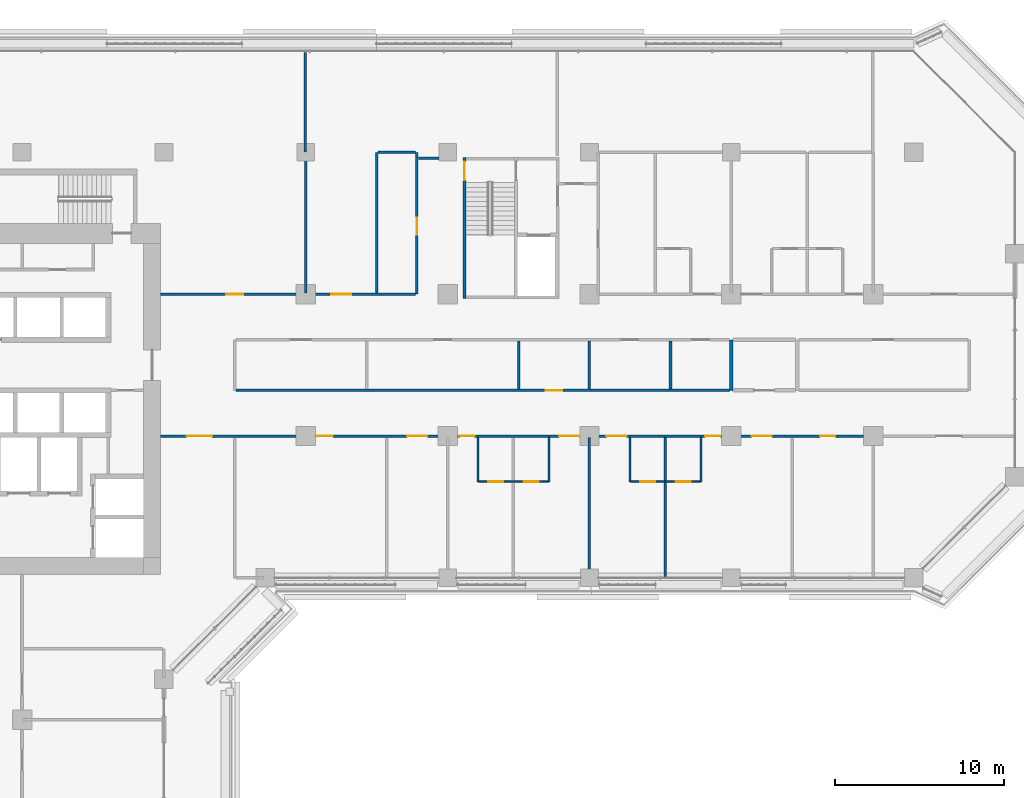
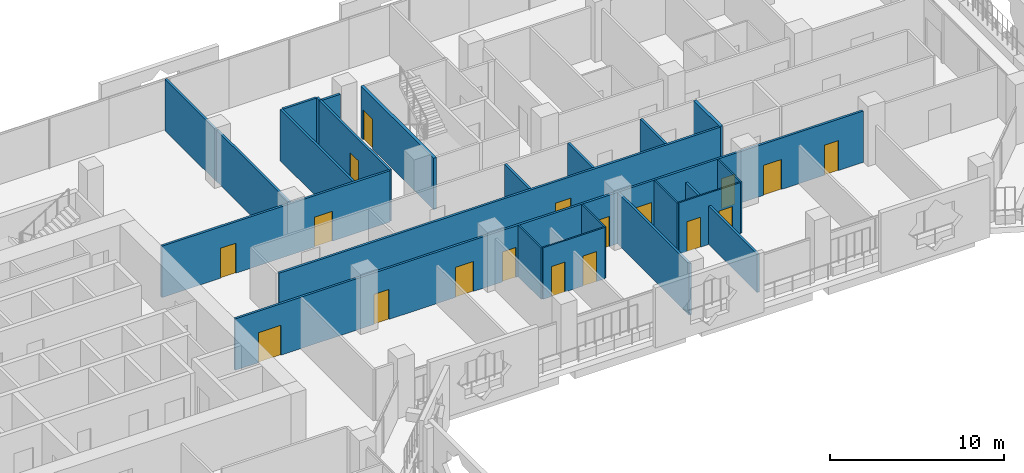
# One storey, part 15 of 25: 23 walls, 18 doors, 18 openings.
"""IFC4 building model written with IfcOpenShell, lengths in metres."""

from ifc_helpers import new_model, si_unit, direction, frame, frame_2d, origin, place, context, subcontext, project, spatial, rectangle, extrude, material, layer, layer_set, type_object, element, fill, save


model = new_model("IFC4")

# Units and contexts
model_context = context("Model", 3, precision=1e-05, world=origin(), true_north=direction((0.0, 1.0)))
body_context = subcontext(model_context, "Body", "Model", "MODEL_VIEW")
ifc_project = project(units=[si_unit("LENGTHUNIT", "METRE"), si_unit("AREAUNIT", "SQUARE_METRE"), si_unit("VOLUMEUNIT", "CUBIC_METRE"), si_unit("PLANEANGLEUNIT", "RADIAN"), si_unit("MASSUNIT", "GRAM", prefix="KILO")], contexts=[model_context])

# Site, building, storey
site_placement = place(None, origin())
site = spatial("IfcSite", under=ifc_project, at=site_placement, CompositionType="ELEMENT")
building_placement = place(site_placement, origin())
building = spatial("IfcBuilding", under=site, at=building_placement, Name="Kawkab Arch Medical Tower", CompositionType="ELEMENT")
storey_placement = place(building_placement, frame((0.0, 0.0, 124.0)))
storey = spatial("IfcBuildingStorey", under=building, at=storey_placement, Name="L28", CompositionType="ELEMENT", Elevation=124.0)

# Wall, openings, doors
ifc_material_1 = material(Name="Gypsum board partition on steel studs", Category="steel")
ifc_layer_1 = layer(ifc_material_1, 0.10009765625)
ifc_layer_set_1 = layer_set([ifc_layer_1], Name="Gypsum board partition on steel studs")
wall_type_1 = type_object("IfcWallType", Name="Partition 100", PredefinedType="PARTITIONING", material=ifc_layer_set_1)
wall_1_placement = place(storey_placement, frame((43.85009765625, -19.5, 0.0), z_axis=(0.0, 0.0, 1.0), x_axis=(1.0, 0.0, 0.0)))
wall_1 = element("IfcWall", 1, at=wall_1_placement, inside=storey, type_object=wall_type_1, Name="Partition 100 w005", PredefinedType="PARTITIONING", context=body_context, shape_type="SweptSolid", body=[
    extrude(rectangle(XDim=4.099853515625, YDim=0.10009765625, at=frame_2d((2.0498046875, 0.0))), origin(), (0.0, 0.0, 1.0), 3.60009765625),
])
opening_1_placement = place(wall_1_placement, frame((0.550048828125, 0.0, 0.0)))
opening_1 = element("IfcOpeningElement", 2, at=opening_1_placement, cuts=wall_1, Name="Opening W28-008", PredefinedType="OPENING", context=body_context, shape_type="SweptSolid", body=[
    extrude(rectangle(XDim=0.89990234375, YDim=2.10009765625, at=frame_2d((0.449951171875, 1.050048828125))), frame((0.0, 0.06005859375, 0.0), z_axis=(0.0, -1.0, 0.0), x_axis=(1.0, 0.0, 0.0)), (0.0, 0.0, 1.0), 0.1201171875),
])
opening_2_placement = place(wall_1_placement, frame((2.64990234375, 0.0, 0.0)))
opening_2 = element("IfcOpeningElement", 3, at=opening_2_placement, cuts=wall_1, Name="Opening W28-009", PredefinedType="OPENING", context=body_context, shape_type="SweptSolid", body=[
    extrude(rectangle(XDim=0.89990234375, YDim=2.10009765625, at=frame_2d((0.449951171875, 1.050048828125))), frame((0.0, 0.06005859375, 0.0), z_axis=(0.0, -1.0, 0.0), x_axis=(1.0, 0.0, 0.0)), (0.0, 0.0, 1.0), 0.1201171875),
])
ifc_material_2 = material(Name="Timber door leaf", Category="wood")
door_type_1 = type_object("IfcDoorType", Name="Single door 900x2100", OperationType="NOTDEFINED", PredefinedType="DOOR", material=ifc_material_2)
door_1_placement = place(opening_1_placement, origin())
door_1 = element("IfcDoor", 4, at=door_1_placement, inside=storey, type_object=door_type_1, Name="Door W28-008", OperationType="SINGLE_SWING_RIGHT", OverallHeight=2.10009765625, OverallWidth=0.89990234375, PredefinedType="DOOR", context=body_context, shape_type="SweptSolid", body=[
    extrude(rectangle(XDim=0.89990234375, YDim=2.10009765625, at=frame_2d((0.449951171875, 1.050048828125))), frame((0.0, 0.02490234375, 0.0), z_axis=(0.0, -1.0, 0.0), x_axis=(1.0, 0.0, 0.0)), (0.0, 0.0, 1.0), 0.050048828125),
])
fill(opening_1, door_1)
door_2_placement = place(opening_2_placement, origin())
door_2 = element("IfcDoor", 5, at=door_2_placement, inside=storey, type_object=door_type_1, Name="Door W28-009", OperationType="SINGLE_SWING_LEFT", OverallHeight=2.10009765625, OverallWidth=0.89990234375, PredefinedType="DOOR", context=body_context, shape_type="SweptSolid", body=[
    extrude(rectangle(XDim=0.89990234375, YDim=2.10009765625, at=frame_2d((0.449951171875, 1.050048828125))), frame((0.0, 0.02490234375, 0.0), z_axis=(0.0, -1.0, 0.0), x_axis=(1.0, 0.0, 0.0)), (0.0, 0.0, 1.0), 0.050048828125),
])
fill(opening_2, door_2)

wall_2_placement = place(storey_placement, frame((52.85009765625, -19.5, 0.0), z_axis=(0.0, 0.0, 1.0), x_axis=(1.0, 0.0, 0.0)))
wall_2 = element("IfcWall", 6, at=wall_2_placement, inside=storey, type_object=wall_type_1, Name="Partition 100 w006", PredefinedType="PARTITIONING", context=body_context, shape_type="SweptSolid", body=[
    extrude(rectangle(XDim=4.097900390625, YDim=0.10009765625, at=frame_2d((2.048828125, 0.0))), origin(), (0.0, 0.0, 1.0), 3.60009765625),
])
opening_3_placement = place(wall_2_placement, frame((0.550048828125, 0.0, 0.0)))
opening_3 = element("IfcOpeningElement", 7, at=opening_3_placement, cuts=wall_2, Name="Opening W28-010", PredefinedType="OPENING", context=body_context, shape_type="SweptSolid", body=[
    extrude(rectangle(XDim=0.89990234375, YDim=2.10009765625, at=frame_2d((0.449951171875, 1.050048828125))), frame((0.0, 0.06005859375, 0.0), z_axis=(0.0, -1.0, 0.0), x_axis=(1.0, 0.0, 0.0)), (0.0, 0.0, 1.0), 0.1201171875),
])
opening_4_placement = place(wall_2_placement, frame((2.64892578125, 0.0, 0.0)))
opening_4 = element("IfcOpeningElement", 8, at=opening_4_placement, cuts=wall_2, Name="Opening W28-011", PredefinedType="OPENING", context=body_context, shape_type="SweptSolid", body=[
    extrude(rectangle(XDim=0.89990234375, YDim=2.10009765625, at=frame_2d((0.449951171875, 1.050048828125))), frame((0.0, 0.06005859375, 0.0), z_axis=(0.0, -1.0, 0.0), x_axis=(1.0, 0.0, 0.0)), (0.0, 0.0, 1.0), 0.1201171875),
])
door_3_placement = place(opening_3_placement, origin())
door_3 = element("IfcDoor", 9, at=door_3_placement, inside=storey, type_object=door_type_1, Name="Door W28-010", OperationType="SINGLE_SWING_RIGHT", OverallHeight=2.10009765625, OverallWidth=0.89990234375, PredefinedType="DOOR", context=body_context, shape_type="SweptSolid", body=[
    extrude(rectangle(XDim=0.89990234375, YDim=2.10009765625, at=frame_2d((0.449951171875, 1.050048828125))), frame((0.0, 0.02490234375, 0.0), z_axis=(0.0, -1.0, 0.0), x_axis=(1.0, 0.0, 0.0)), (0.0, 0.0, 1.0), 0.050048828125),
])
fill(opening_3, door_3)
door_4_placement = place(opening_4_placement, origin())
door_4 = element("IfcDoor", 10, at=door_4_placement, inside=storey, type_object=door_type_1, Name="Door W28-011", OperationType="SINGLE_SWING_LEFT", OverallHeight=2.10009765625, OverallWidth=0.89990234375, PredefinedType="DOOR", context=body_context, shape_type="SweptSolid", body=[
    extrude(rectangle(XDim=0.89990234375, YDim=2.10009765625, at=frame_2d((0.449951171875, 1.050048828125))), frame((0.0, 0.02490234375, 0.0), z_axis=(0.0, -1.0, 0.0), x_axis=(1.0, 0.0, 0.0)), (0.0, 0.0, 1.0), 0.050048828125),
])
fill(opening_4, door_4)

# Walls
for number, where, z_axis, x_axis, name in (
    (11, (43.800048828125, -19.5, 0.0), (0.0, 0.0, 1.0), (0.0, 1.0, 0.0), "Partition 100 w012"),
    (12, (48.0, -19.5, 0.0), (0.0, 0.0, 1.0), (0.0, 1.0, 0.0), "Partition 100 w013"),
    (13, (52.800048828125, -19.5, 0.0), (0.0, 0.0, 1.0), (0.0, 1.0, 0.0), "Partition 100 w014"),
):
    element("IfcWall", number, at=place(storey_placement, frame(where, z_axis=z_axis, x_axis=x_axis)), inside=storey, type_object=wall_type_1, Name=name, PredefinedType="PARTITIONING", context=body_context, shape_type="SweptSolid", body=[
        extrude(rectangle(XDim=2.625, YDim=0.10009765625, at=frame_2d((1.3125, 0.0))), origin(), (0.0, 0.0, 1.0), 3.60009765625),
    ])
wall_3_placement = place(storey_placement, frame((57.0, -19.4990234375, 0.0), z_axis=(0.0, 0.0, 1.0), x_axis=(0.0, 1.0, 0.0)))
element("IfcWall", 14, at=wall_3_placement, inside=storey, type_object=wall_type_1, Name="Partition 100 w016", PredefinedType="PARTITIONING", context=body_context, shape_type="SweptSolid", body=[
    extrude(rectangle(XDim=2.6240234375, YDim=0.10009765625, at=frame_2d((1.31201171875, 0.0))), origin(), (0.0, 0.0, 1.0), 3.60009765625),
])

# Wall, openings, doors
ifc_material_3 = material(Name="Gypsum board partition on steel studs, mineral wool", Category="steel")
ifc_layer_2 = layer(ifc_material_3, 0.14990234375)
ifc_layer_set_2 = layer_set([ifc_layer_2], Name="Gypsum board partition on steel studs, mineral wool")
wall_type_2 = type_object("IfcWallType", Name="Partition 150", PredefinedType="PARTITIONING", material=ifc_layer_set_2)
wall_4_placement = place(storey_placement, frame((25.0, -16.800048828125, 0.0), z_axis=(0.0, 0.0, 1.0), x_axis=(1.0, 0.0, 0.0)))
wall_4 = element("IfcWall", 15, at=wall_4_placement, inside=storey, type_object=wall_type_2, Name="Partition 150 w037", PredefinedType="PARTITIONING", context=body_context, shape_type="SweptSolid", body=[
    extrude(rectangle(XDim=41.625, YDim=0.14990234375, at=frame_2d((20.8125, 0.0))), origin(), (0.0, 0.0, 1.0), 3.60009765625),
])
opening_5_placement = place(wall_4_placement, frame((1.550048828125, 0.0, 0.0)))
opening_5 = element("IfcOpeningElement", 16, at=opening_5_placement, cuts=wall_4, Name="Opening W28-001", PredefinedType="OPENING", context=body_context, shape_type="SweptSolid", body=[
    extrude(rectangle(XDim=1.5, YDim=2.10009765625, at=frame_2d((0.75, 1.050048828125))), frame((0.0, 0.0849609375, 0.0), z_axis=(0.0, -1.0, 0.0), x_axis=(1.0, 0.0, 0.0)), (0.0, 0.0, 1.0), 0.169921875),
])
opening_6_placement = place(wall_4_placement, frame((9.199951171875, 0.0, 0.0)))
opening_6 = element("IfcOpeningElement", 17, at=opening_6_placement, cuts=wall_4, Name="Opening W28-029", PredefinedType="OPENING", context=body_context, shape_type="SweptSolid", body=[
    extrude(rectangle(XDim=1.0, YDim=2.10009765625, at=frame_2d((0.5, 1.050048828125))), frame((0.0, 0.0849609375, 0.0), z_axis=(0.0, -1.0, 0.0), x_axis=(1.0, 0.0, 0.0)), (0.0, 0.0, 1.0), 0.169921875),
])
opening_7_placement = place(wall_4_placement, frame((14.60009765625, 0.0, 0.0)))
opening_7 = element("IfcOpeningElement", 18, at=opening_7_placement, cuts=wall_4, Name="Opening W28-039", PredefinedType="OPENING", context=body_context, shape_type="SweptSolid", body=[
    extrude(rectangle(XDim=1.199951171875, YDim=2.10009765625, at=frame_2d((0.60009765625, 1.050048828125))), frame((0.0, 0.0849609375, 0.0), z_axis=(0.0, -1.0, 0.0), x_axis=(1.0, 0.0, 0.0)), (0.0, 0.0, 1.0), 0.169921875),
])
opening_8_placement = place(wall_4_placement, frame((17.699951171875, 0.0, 0.0)))
opening_8 = element("IfcOpeningElement", 19, at=opening_8_placement, cuts=wall_4, Name="Opening W28-018", PredefinedType="OPENING", context=body_context, shape_type="SweptSolid", body=[
    extrude(rectangle(XDim=0.89990234375, YDim=2.10009765625, at=frame_2d((0.449951171875, 1.050048828125))), frame((0.0, 0.0849609375, 0.0), z_axis=(0.0, -1.0, 0.0), x_axis=(1.0, 0.0, 0.0)), (0.0, 0.0, 1.0), 0.169921875),
])
opening_9_placement = place(wall_4_placement, frame((23.60009765625, 0.0, 0.0)))
opening_9 = element("IfcOpeningElement", 20, at=opening_9_placement, cuts=wall_4, Name="Opening W28-040", PredefinedType="OPENING", context=body_context, shape_type="SweptSolid", body=[
    extrude(rectangle(XDim=1.199951171875, YDim=2.10009765625, at=frame_2d((0.60009765625, 1.050048828125))), frame((0.0, 0.0849609375, 0.0), z_axis=(0.0, -1.0, 0.0), x_axis=(1.0, 0.0, 0.0)), (0.0, 0.0, 1.0), 0.169921875),
])
opening_10_placement = place(wall_4_placement, frame((26.39990234375, 0.0, 0.0)))
opening_10 = element("IfcOpeningElement", 21, at=opening_10_placement, cuts=wall_4, Name="Opening W28-041", PredefinedType="OPENING", context=body_context, shape_type="SweptSolid", body=[
    extrude(rectangle(XDim=1.199951171875, YDim=2.10009765625, at=frame_2d((0.60009765625, 1.050048828125))), frame((0.0, 0.0849609375, 0.0), z_axis=(0.0, -1.0, 0.0), x_axis=(1.0, 0.0, 0.0)), (0.0, 0.0, 1.0), 0.169921875),
])
opening_11_placement = place(wall_4_placement, frame((35.0, 0.0, 0.0)))
opening_11 = element("IfcOpeningElement", 22, at=opening_11_placement, cuts=wall_4, Name="Opening W28-042", PredefinedType="OPENING", context=body_context, shape_type="SweptSolid", body=[
    extrude(rectangle(XDim=1.199951171875, YDim=2.10009765625, at=frame_2d((0.60009765625, 1.050048828125))), frame((0.0, 0.0849609375, 0.0), z_axis=(0.0, -1.0, 0.0), x_axis=(1.0, 0.0, 0.0)), (0.0, 0.0, 1.0), 0.169921875),
])
opening_12_placement = place(wall_4_placement, frame((32.25, 0.0, 0.0)))
opening_12 = element("IfcOpeningElement", 23, at=opening_12_placement, cuts=wall_4, Name="Opening W28-019", PredefinedType="OPENING", context=body_context, shape_type="SweptSolid", body=[
    extrude(rectangle(XDim=0.89990234375, YDim=2.10009765625, at=frame_2d((0.449951171875, 1.050048828125))), frame((0.0, 0.0849609375, 0.0), z_axis=(0.0, -1.0, 0.0), x_axis=(1.0, 0.0, 0.0)), (0.0, 0.0, 1.0), 0.169921875),
])
opening_13_placement = place(wall_4_placement, frame((39.06201171875, 0.0, 0.0)))
opening_13 = element("IfcOpeningElement", 24, at=opening_13_placement, cuts=wall_4, Name="Opening W28-012", PredefinedType="OPENING", context=body_context, shape_type="SweptSolid", body=[
    extrude(rectangle(XDim=0.89990234375, YDim=2.10009765625, at=frame_2d((0.449951171875, 1.050048828125))), frame((0.0, 0.0849609375, 0.0), z_axis=(0.0, -1.0, 0.0), x_axis=(1.0, 0.0, 0.0)), (0.0, 0.0, 1.0), 0.169921875),
])
ifc_material_4 = material(Name="Hollow metal door leaf")
door_type_2 = type_object("IfcDoorType", Name="Double door 1500x2100 FD30S", OperationType="NOTDEFINED", PredefinedType="DOOR", material=ifc_material_4)
door_5_placement = place(opening_5_placement, origin())
door_5 = element("IfcDoor", 25, at=door_5_placement, inside=storey, type_object=door_type_2, Name="Door W28-001", OperationType="DOUBLE_DOOR_SINGLE_SWING", OverallHeight=2.10009765625, OverallWidth=1.5, PredefinedType="DOOR", context=body_context, shape_type="SweptSolid", body=[
    extrude(rectangle(XDim=1.5, YDim=2.10009765625, at=frame_2d((0.75, 1.050048828125))), frame((0.0, 0.02490234375, 0.0), z_axis=(0.0, -1.0, 0.0), x_axis=(1.0, 0.0, 0.0)), (0.0, 0.0, 1.0), 0.050048828125),
])
fill(opening_5, door_5)
ifc_material_5 = material(Name="Hollow metal door leaf")
door_type_3 = type_object("IfcDoorType", Name="Single door 1000x2100 FD30S", OperationType="NOTDEFINED", PredefinedType="DOOR", material=ifc_material_5)
door_6_placement = place(opening_6_placement, origin())
door_6 = element("IfcDoor", 26, at=door_6_placement, inside=storey, type_object=door_type_3, Name="Door W28-029", OperationType="SINGLE_SWING_RIGHT", OverallHeight=2.10009765625, OverallWidth=1.0, PredefinedType="DOOR", context=body_context, shape_type="SweptSolid", body=[
    extrude(rectangle(XDim=1.0, YDim=2.10009765625, at=frame_2d((0.5, 1.050048828125))), frame((0.0, 0.02490234375, 0.0), z_axis=(0.0, -1.0, 0.0), x_axis=(1.0, 0.0, 0.0)), (0.0, 0.0, 1.0), 0.050048828125),
])
fill(opening_6, door_6)
ifc_material_6 = material(Name="Hollow metal door leaf")
door_type_4 = type_object("IfcDoorType", Name="Single door 1200x2100 FD30S", OperationType="NOTDEFINED", PredefinedType="DOOR", material=ifc_material_6)
door_7_placement = place(opening_7_placement, origin())
door_7 = element("IfcDoor", 27, at=door_7_placement, inside=storey, type_object=door_type_4, Name="Door W28-039", OperationType="SINGLE_SWING_RIGHT", OverallHeight=2.10009765625, OverallWidth=1.199951171875, PredefinedType="DOOR", context=body_context, shape_type="SweptSolid", body=[
    extrude(rectangle(XDim=1.199951171875, YDim=2.10009765625, at=frame_2d((0.60009765625, 1.050048828125))), frame((0.0, 0.02490234375, 0.0), z_axis=(0.0, -1.0, 0.0), x_axis=(1.0, 0.0, 0.0)), (0.0, 0.0, 1.0), 0.050048828125),
])
fill(opening_7, door_7)
door_8_placement = place(opening_9_placement, origin())
door_8 = element("IfcDoor", 28, at=door_8_placement, inside=storey, type_object=door_type_4, Name="Door W28-040", OperationType="SINGLE_SWING_LEFT", OverallHeight=2.10009765625, OverallWidth=1.199951171875, PredefinedType="DOOR", context=body_context, shape_type="SweptSolid", body=[
    extrude(rectangle(XDim=1.199951171875, YDim=2.10009765625, at=frame_2d((0.60009765625, 1.050048828125))), frame((0.0, 0.02490234375, 0.0), z_axis=(0.0, -1.0, 0.0), x_axis=(1.0, 0.0, 0.0)), (0.0, 0.0, 1.0), 0.050048828125),
])
fill(opening_9, door_8)
door_9_placement = place(opening_10_placement, origin())
door_9 = element("IfcDoor", 29, at=door_9_placement, inside=storey, type_object=door_type_4, Name="Door W28-041", OperationType="SINGLE_SWING_LEFT", OverallHeight=2.10009765625, OverallWidth=1.199951171875, PredefinedType="DOOR", context=body_context, shape_type="SweptSolid", body=[
    extrude(rectangle(XDim=1.199951171875, YDim=2.10009765625, at=frame_2d((0.60009765625, 1.050048828125))), frame((0.0, 0.02490234375, 0.0), z_axis=(0.0, -1.0, 0.0), x_axis=(1.0, 0.0, 0.0)), (0.0, 0.0, 1.0), 0.050048828125),
])
fill(opening_10, door_9)
door_10_placement = place(opening_11_placement, origin())
door_10 = element("IfcDoor", 30, at=door_10_placement, inside=storey, type_object=door_type_4, Name="Door W28-042", OperationType="SINGLE_SWING_LEFT", OverallHeight=2.10009765625, OverallWidth=1.199951171875, PredefinedType="DOOR", context=body_context, shape_type="SweptSolid", body=[
    extrude(rectangle(XDim=1.199951171875, YDim=2.10009765625, at=frame_2d((0.60009765625, 1.050048828125))), frame((0.0, 0.02490234375, 0.0), z_axis=(0.0, -1.0, 0.0), x_axis=(1.0, 0.0, 0.0)), (0.0, 0.0, 1.0), 0.050048828125),
])
fill(opening_11, door_10)
door_11_placement = place(opening_13_placement, origin())
door_11 = element("IfcDoor", 31, at=door_11_placement, inside=storey, type_object=door_type_1, Name="Door W28-012", OperationType="SINGLE_SWING_LEFT", OverallHeight=2.10009765625, OverallWidth=0.89990234375, PredefinedType="DOOR", context=body_context, shape_type="SweptSolid", body=[
    extrude(rectangle(XDim=0.89990234375, YDim=2.10009765625, at=frame_2d((0.449951171875, 1.050048828125))), frame((0.0, 0.02490234375, 0.0), z_axis=(0.0, -1.0, 0.0), x_axis=(1.0, 0.0, 0.0)), (0.0, 0.0, 1.0), 0.050048828125),
])
fill(opening_13, door_11)
ifc_material_7 = material(Name="Hollow metal door leaf")
door_type_5 = type_object("IfcDoorType", Name="Single door 900x2100 FD30S", OperationType="NOTDEFINED", PredefinedType="DOOR", material=ifc_material_7)
door_12_placement = place(opening_8_placement, origin())
door_12 = element("IfcDoor", 32, at=door_12_placement, inside=storey, type_object=door_type_5, Name="Door W28-018", OperationType="SINGLE_SWING_RIGHT", OverallHeight=2.10009765625, OverallWidth=0.89990234375, PredefinedType="DOOR", context=body_context, shape_type="SweptSolid", body=[
    extrude(rectangle(XDim=0.89990234375, YDim=2.10009765625, at=frame_2d((0.449951171875, 1.050048828125))), frame((0.0, 0.02490234375, 0.0), z_axis=(0.0, -1.0, 0.0), x_axis=(1.0, 0.0, 0.0)), (0.0, 0.0, 1.0), 0.050048828125),
])
fill(opening_8, door_12)
door_13_placement = place(opening_12_placement, origin())
door_13 = element("IfcDoor", 33, at=door_13_placement, inside=storey, type_object=door_type_5, Name="Door W28-019", OperationType="SINGLE_SWING_LEFT", OverallHeight=2.10009765625, OverallWidth=0.89990234375, PredefinedType="DOOR", context=body_context, shape_type="SweptSolid", body=[
    extrude(rectangle(XDim=0.89990234375, YDim=2.10009765625, at=frame_2d((0.449951171875, 1.050048828125))), frame((0.0, 0.02490234375, 0.0), z_axis=(0.0, -1.0, 0.0), x_axis=(1.0, 0.0, 0.0)), (0.0, 0.0, 1.0), 0.050048828125),
])
fill(opening_12, door_13)

# Wall, opening, door
wall_5_placement = place(storey_placement, frame((29.47509765625, -14.10009765625, 0.0), z_axis=(0.0, 0.0, 1.0), x_axis=(1.0, 0.0, 0.0)))
wall_5 = element("IfcWall", 34, at=wall_5_placement, inside=storey, type_object=wall_type_2, Name="Partition 150 w039", PredefinedType="PARTITIONING", context=body_context, shape_type="SweptSolid", body=[
    extrude(rectangle(XDim=29.224853515625, YDim=0.14990234375, at=frame_2d((14.6123046875, 0.0))), origin(), (0.0, 0.0, 1.0), 3.60009765625),
])
opening_14_placement = place(wall_5_placement, frame((18.324951171875, 0.0, 0.0)))
opening_14 = element("IfcOpeningElement", 35, at=opening_14_placement, cuts=wall_5, Name="Opening W28-027", PredefinedType="OPENING", context=body_context, shape_type="SweptSolid", body=[
    extrude(rectangle(XDim=1.0, YDim=2.10009765625, at=frame_2d((0.5, 1.050048828125))), frame((0.0, 0.0849609375, 0.0), z_axis=(0.0, -1.0, 0.0), x_axis=(1.0, 0.0, 0.0)), (0.0, 0.0, 1.0), 0.169921875),
])
door_14_placement = place(opening_14_placement, origin())
door_14 = element("IfcDoor", 36, at=door_14_placement, inside=storey, type_object=door_type_3, Name="Door W28-027", OperationType="SINGLE_SWING_RIGHT", OverallHeight=2.10009765625, OverallWidth=1.0, PredefinedType="DOOR", context=body_context, shape_type="SweptSolid", body=[
    extrude(rectangle(XDim=1.0, YDim=2.10009765625, at=frame_2d((0.5, 1.050048828125))), frame((0.0, 0.02490234375, 0.0), z_axis=(0.0, -1.0, 0.0), x_axis=(1.0, 0.0, 0.0)), (0.0, 0.0, 1.0), 0.050048828125),
])
fill(opening_14, door_14)

# Wall, openings, doors
wall_6_placement = place(storey_placement, frame((25.0, -8.39990234375, 0.0), z_axis=(0.0, 0.0, 1.0), x_axis=(1.0, 0.0, 0.0)))
wall_6 = element("IfcWall", 37, at=wall_6_placement, inside=storey, type_object=wall_type_2, Name="Partition 150 w043", PredefinedType="PARTITIONING", context=body_context, shape_type="SweptSolid", body=[
    extrude(rectangle(XDim=15.10693359375, YDim=0.14990234375, at=frame_2d((7.553466796875, 0.0))), origin(), (0.0, 0.0, 1.0), 3.60009765625),
])
opening_15_placement = place(wall_6_placement, frame((3.89990234375, 0.0, 0.0)))
opening_15 = element("IfcOpeningElement", 38, at=opening_15_placement, cuts=wall_6, Name="Opening W28-022", PredefinedType="OPENING", context=body_context, shape_type="SweptSolid", body=[
    extrude(rectangle(XDim=1.0, YDim=2.10009765625, at=frame_2d((0.5, 1.050048828125))), frame((0.0, 0.0849609375, 0.0), z_axis=(0.0, -1.0, 0.0), x_axis=(1.0, 0.0, 0.0)), (0.0, 0.0, 1.0), 0.169921875),
])
opening_16_placement = place(wall_6_placement, frame((10.10009765625, 0.0, 0.0)))
opening_16 = element("IfcOpeningElement", 39, at=opening_16_placement, cuts=wall_6, Name="Opening W28-034", PredefinedType="OPENING", context=body_context, shape_type="SweptSolid", body=[
    extrude(rectangle(XDim=1.199951171875, YDim=2.10009765625, at=frame_2d((0.60009765625, 1.050048828125))), frame((0.0, 0.0849609375, 0.0), z_axis=(0.0, -1.0, 0.0), x_axis=(1.0, 0.0, 0.0)), (0.0, 0.0, 1.0), 0.169921875),
])
door_15_placement = place(opening_15_placement, origin())
door_15 = element("IfcDoor", 40, at=door_15_placement, inside=storey, type_object=door_type_3, Name="Door W28-022", OperationType="SINGLE_SWING_LEFT", OverallHeight=2.10009765625, OverallWidth=1.0, PredefinedType="DOOR", context=body_context, shape_type="SweptSolid", body=[
    extrude(rectangle(XDim=1.0, YDim=2.10009765625, at=frame_2d((0.5, 1.050048828125))), frame((0.0, 0.02490234375, 0.0), z_axis=(0.0, -1.0, 0.0), x_axis=(1.0, 0.0, 0.0)), (0.0, 0.0, 1.0), 0.050048828125),
])
fill(opening_15, door_15)
door_16_placement = place(opening_16_placement, origin())
door_16 = element("IfcDoor", 41, at=door_16_placement, inside=storey, type_object=door_type_4, Name="Door W28-034", OperationType="SINGLE_SWING_RIGHT", OverallHeight=2.10009765625, OverallWidth=1.199951171875, PredefinedType="DOOR", context=body_context, shape_type="SweptSolid", body=[
    extrude(rectangle(XDim=1.199951171875, YDim=2.10009765625, at=frame_2d((0.60009765625, 1.050048828125))), frame((0.0, 0.02490234375, 0.0), z_axis=(0.0, -1.0, 0.0), x_axis=(1.0, 0.0, 0.0)), (0.0, 0.0, 1.0), 0.050048828125),
])
fill(opening_16, door_16)

# Walls
wall_7_placement = place(storey_placement, frame((40.277099609375, -0.35009765625, 0.0), z_axis=(0.0, 0.0, 1.0), x_axis=(1.0, 0.0, 0.0)))
element("IfcWall", 42, at=wall_7_placement, inside=storey, type_object=wall_type_2, Name="Partition 150 w047", PredefinedType="PARTITIONING", context=body_context, shape_type="SweptSolid", body=[
    extrude(rectangle(XDim=1.2109375, YDim=0.14990234375, at=frame_2d((0.60546875, 0.0))), origin(), (0.0, 0.0, 1.0), 3.60009765625),
])
wall_8_placement = place(storey_placement, frame((37.8779296875, 0.0, 0.0), z_axis=(0.0, 0.0, 1.0), x_axis=(1.0, 0.0, 0.0)))
element("IfcWall", 43, at=wall_8_placement, inside=storey, type_object=wall_type_2, Name="Partition 150 w049", PredefinedType="PARTITIONING", context=body_context, shape_type="SweptSolid", body=[
    extrude(rectangle(XDim=2.22607421875, YDim=0.14990234375, at=frame_2d((1.113037109375, 0.0))), origin(), (0.0, 0.0, 1.0), 3.60009765625),
])
wall_9_placement = place(storey_placement, frame((33.580078125, 0.02001953125, 0.0), z_axis=(0.0, 0.0, 1.0), x_axis=(0.0, 1.0, 0.0)))
element("IfcWall", 44, at=wall_9_placement, inside=storey, type_object=wall_type_2, Name="Partition 150 w063", PredefinedType="PARTITIONING", context=body_context, shape_type="SweptSolid", body=[
    extrude(rectangle(XDim=5.89990234375, YDim=0.14990234375, at=frame_2d((2.949951171875, 0.0))), origin(), (0.0, 0.0, 1.0), 3.60009765625),
])
for number, where, z_axis, x_axis, name in (
    (45, (33.60009765625, -8.324951171875, 0.0), (0.0, 0.0, 1.0), (0.0, 1.0, 0.0), "Partition 150 w064"),
    (46, (37.800048828125, -8.324951171875, 0.0), (0.0, 0.0, 1.0), (0.0, 1.0, 0.0), "Partition 150 w066"),
):
    element("IfcWall", number, at=place(storey_placement, frame(where, z_axis=z_axis, x_axis=x_axis)), inside=storey, type_object=wall_type_2, Name=name, PredefinedType="PARTITIONING", context=body_context, shape_type="SweptSolid", body=[
        extrude(rectangle(XDim=8.322021484375, YDim=0.14990234375, at=frame_2d((4.1611328125, 0.0))), origin(), (0.0, 0.0, 1.0), 3.60009765625),
    ])

# Wall, opening, door
wall_10_placement = place(storey_placement, frame((40.181884765625, -8.39990234375, 0.0), z_axis=(0.0, 0.0, 1.0), x_axis=(0.0, 1.0, 0.0)))
wall_10 = element("IfcWall", 47, at=wall_10_placement, inside=storey, type_object=wall_type_2, Name="Partition 150 w068", PredefinedType="PARTITIONING", context=body_context, shape_type="SweptSolid", body=[
    extrude(rectangle(XDim=8.0498046875, YDim=0.14990234375, at=frame_2d((4.02490234375, 0.0))), origin(), (0.0, 0.0, 1.0), 3.60009765625),
])
opening_17_placement = place(wall_10_placement, frame((3.52490234375, 0.0, 0.0)))
opening_17 = element("IfcOpeningElement", 48, at=opening_17_placement, cuts=wall_10, Name="Opening W28-023", PredefinedType="OPENING", context=body_context, shape_type="SweptSolid", body=[
    extrude(rectangle(XDim=1.0, YDim=2.10009765625, at=frame_2d((0.5, 1.050048828125))), frame((0.0, 0.0849609375, 0.0), z_axis=(0.0, -1.0, 0.0), x_axis=(1.0, 0.0, 0.0)), (0.0, 0.0, 1.0), 0.169921875),
])
door_17_placement = place(opening_17_placement, origin())
door_17 = element("IfcDoor", 49, at=door_17_placement, inside=storey, type_object=door_type_3, Name="Door W28-023", OperationType="SINGLE_SWING_LEFT", OverallHeight=2.10009765625, OverallWidth=1.0, PredefinedType="DOOR", context=body_context, shape_type="SweptSolid", body=[
    extrude(rectangle(XDim=1.0, YDim=2.10009765625, at=frame_2d((0.5, 1.050048828125))), frame((0.0, 0.02490234375, 0.0), z_axis=(0.0, -1.0, 0.0), x_axis=(1.0, 0.0, 0.0)), (0.0, 0.0, 1.0), 0.050048828125),
])
fill(opening_17, door_17)

# Walls
wall_11_placement = place(storey_placement, frame((40.181884765625, -0.330078125, 0.0), z_axis=(0.0, 0.0, 1.0), x_axis=(0.0, 1.0, 0.0)))
element("IfcWall", 50, at=wall_11_placement, inside=storey, type_object=wall_type_2, Name="Partition 150 w069", PredefinedType="PARTITIONING", context=body_context, shape_type="SweptSolid", body=[
    extrude(rectangle(XDim=0.3271484375, YDim=0.14990234375, at=frame_2d((0.16357421875, 0.0))), origin(), (0.0, 0.0, 1.0), 3.60009765625),
])
wall_12_placement = place(storey_placement, frame((46.199951171875, -14.02490234375, 0.0), z_axis=(0.0, 0.0, 1.0), x_axis=(0.0, 1.0, 0.0)))
element("IfcWall", 51, at=wall_12_placement, inside=storey, type_object=wall_type_2, Name="Partition 150 w072", PredefinedType="PARTITIONING", context=body_context, shape_type="SweptSolid", body=[
    extrude(rectangle(XDim=2.849853515625, YDim=0.14990234375, at=frame_2d((1.4248046875, 0.0))), origin(), (0.0, 0.0, 1.0), 3.60009765625),
])
wall_13_placement = place(storey_placement, frame((50.39990234375, -25.1201171875, 0.0), z_axis=(0.0, 0.0, 1.0), x_axis=(0.0, 1.0, 0.0)))
element("IfcWall", 52, at=wall_13_placement, inside=storey, type_object=wall_type_2, Name="Partition 150 w074", PredefinedType="PARTITIONING", context=body_context, shape_type="SweptSolid", body=[
    extrude(rectangle(XDim=8.2451171875, YDim=0.14990234375, at=frame_2d((4.12255859375, 0.0))), origin(), (0.0, 0.0, 1.0), 3.60009765625),
])
wall_14_placement = place(storey_placement, frame((50.39990234375, -14.02490234375, 0.0), z_axis=(0.0, 0.0, 1.0), x_axis=(0.0, 1.0, 0.0)))
element("IfcWall", 53, at=wall_14_placement, inside=storey, type_object=wall_type_2, Name="Partition 150 w075", PredefinedType="PARTITIONING", context=body_context, shape_type="SweptSolid", body=[
    extrude(rectangle(XDim=2.849853515625, YDim=0.14990234375, at=frame_2d((1.4248046875, 0.0))), origin(), (0.0, 0.0, 1.0), 3.60009765625),
])
wall_15_placement = place(storey_placement, frame((54.89990234375, -25.1201171875, 0.0), z_axis=(0.0, 0.0, 1.0), x_axis=(0.0, 1.0, 0.0)))
element("IfcWall", 54, at=wall_15_placement, inside=storey, type_object=wall_type_2, Name="Partition 150 w079", PredefinedType="PARTITIONING", context=body_context, shape_type="SweptSolid", body=[
    extrude(rectangle(XDim=8.2451171875, YDim=0.14990234375, at=frame_2d((4.12255859375, 0.0))), origin(), (0.0, 0.0, 1.0), 2.699951171875),
])
wall_16_placement = place(storey_placement, frame((55.199951171875, -14.02490234375, 0.0), z_axis=(0.0, 0.0, 1.0), x_axis=(0.0, 1.0, 0.0)))
element("IfcWall", 55, at=wall_16_placement, inside=storey, type_object=wall_type_2, Name="Partition 150 w080", PredefinedType="PARTITIONING", context=body_context, shape_type="SweptSolid", body=[
    extrude(rectangle(XDim=2.849853515625, YDim=0.14990234375, at=frame_2d((1.4248046875, 0.0))), origin(), (0.0, 0.0, 1.0), 3.60009765625),
])
ifc_material_8 = material(Name="Fire-rated gypsum board partition on steel studs", Category="steel")
ifc_layer_3 = layer(ifc_material_8, 0.199951171875)
ifc_layer_set_3 = layer_set([ifc_layer_3], Name="Fire-rated gypsum board partition on steel studs")
wall_type_3 = type_object("IfcWallType", Name="Protected partition 200", PredefinedType="PARTITIONING", material=ifc_layer_set_3)
wall_17_placement = place(storey_placement, frame((58.800048828125, -14.10009765625, 0.0), z_axis=(0.0, 0.0, 1.0), x_axis=(0.0, 1.0, 0.0)))
element("IfcWall", 56, at=wall_17_placement, inside=storey, type_object=wall_type_3, Name="Protected partition 200 w090", PredefinedType="PARTITIONING", context=body_context, shape_type="SweptSolid", body=[
    extrude(rectangle(XDim=3.0, YDim=0.199951171875, at=frame_2d((1.5, 0.0))), origin(), (0.0, 0.0, 1.0), 3.60009765625),
])

# Wall, opening, door
ifc_material_9 = material(Name="Concrete C50/60", Category="concrete")
ifc_layer_4 = layer(ifc_material_9, 0.199951171875)
ifc_layer_set_4 = layer_set([ifc_layer_4], Name="Concrete C50/60")
wall_type_4 = type_object("IfcWallType", Name="Stair enclosure wall 200 C50/60", PredefinedType="SHEAR", material=ifc_layer_set_4)
wall_18_placement = place(storey_placement, frame((43.0, -8.64990234375, 0.0), z_axis=(0.0, 0.0, 1.0), x_axis=(0.0, 1.0, 0.0)))
wall_18 = element("IfcWall", 57, at=wall_18_placement, inside=storey, type_object=wall_type_4, Name="L28 stair enclosure wall", PredefinedType="SHEAR", context=body_context, shape_type="SweptSolid", body=[
    extrude(rectangle(XDim=8.349853515625, YDim=0.199951171875, at=frame_2d((4.1748046875, 0.0))), origin(), (0.0, 0.0, 1.0), 3.60009765625),
])
opening_18_placement = place(wall_18_placement, frame((7.0, 0.0, 0.0)))
opening_18 = element("IfcOpeningElement", 58, at=opening_18_placement, cuts=wall_18, Name="Opening SD", PredefinedType="OPENING", context=body_context, shape_type="SweptSolid", body=[
    extrude(rectangle(XDim=1.10009765625, YDim=2.10009765625, at=frame_2d((0.550048828125, 1.050048828125))), frame((0.0, 0.10986328125, 0.0), z_axis=(0.0, -1.0, 0.0), x_axis=(1.0, 0.0, 0.0)), (0.0, 0.0, 1.0), 0.219970703125),
])
ifc_material_10 = material(Name="Hollow metal fire door leaf")
door_type_6 = type_object("IfcDoorType", Name="Exit stair door 1100", OperationType="SINGLE_SWING_LEFT", PredefinedType="DOOR", material=ifc_material_10)
door_18_placement = place(opening_18_placement, frame((1.10009765625, 0.0, 0.0), z_axis=(0.0, 0.0, 1.0), x_axis=(-1.0, 0.0, 0.0)))
door_18 = element("IfcDoor", 59, at=door_18_placement, inside=storey, type_object=door_type_6, Name="L28 Exit stair ST5 door", OperationType="SINGLE_SWING_LEFT", OverallHeight=2.10009765625, OverallWidth=1.10009765625, PredefinedType="DOOR", context=body_context, shape_type="SweptSolid", body=[
    extrude(rectangle(XDim=1.10009765625, YDim=2.10009765625, at=frame_2d((0.550048828125, 1.050048828125))), frame((0.0, 0.02490234375, 0.0), z_axis=(0.0, -1.0, 0.0), x_axis=(1.0, 0.0, 0.0)), (0.0, 0.0, 1.0), 0.050048828125),
])
fill(opening_18, door_18)

save(model, "model.ifc")
